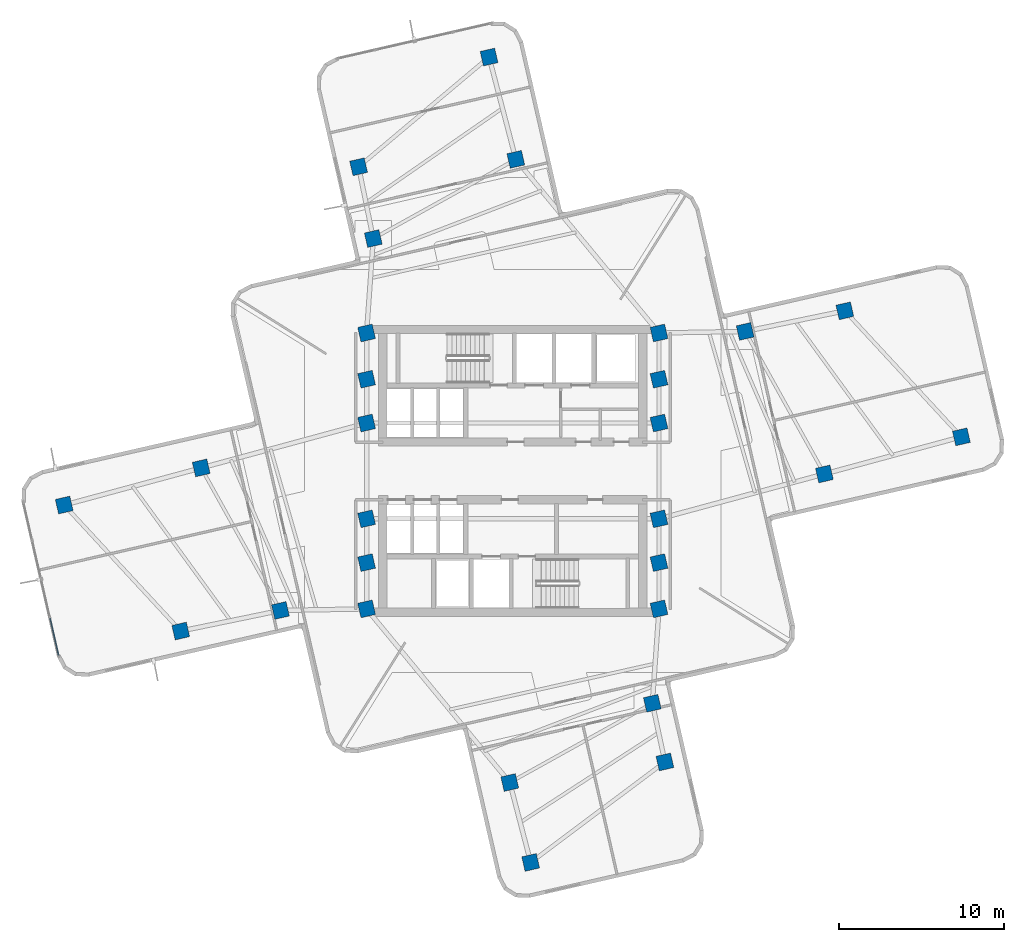
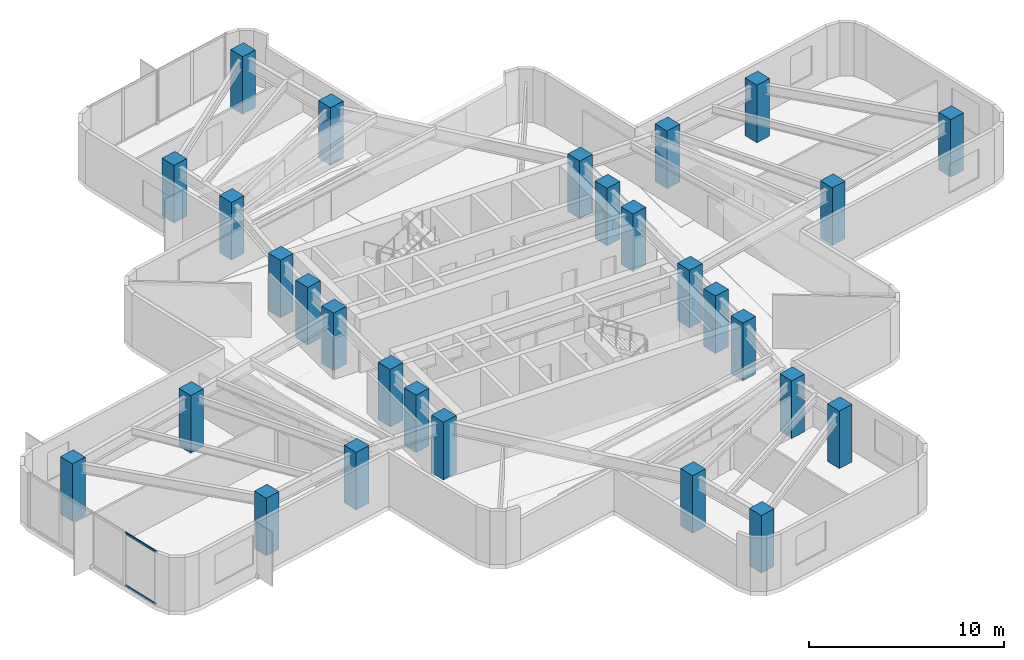
# One storey, part 1 of 11: 28 columns, 2 members, 1 element without a shape of its own.
"""IFC4 building model written with IfcOpenShell, lengths in metres."""

from ifc_helpers import new_model, si_unit, direction, frame, origin, origin_2d, place, context, subcontext, project, spatial, rectangle, extrude, material, layer, layer_set, material_profile, profile_set, type_object, element, aggregate, save


model = new_model("IFC4")

# Units and contexts
model_context = context("Model", 3, precision=1e-05, world=origin(), true_north=direction((0.0, 1.0)))
body_context = subcontext(model_context, "Body", "Model", "MODEL_VIEW")
ifc_project = project(units=[si_unit("LENGTHUNIT", "METRE"), si_unit("AREAUNIT", "SQUARE_METRE"), si_unit("VOLUMEUNIT", "CUBIC_METRE"), si_unit("PLANEANGLEUNIT", "RADIAN"), si_unit("MASSUNIT", "GRAM", prefix="KILO")], contexts=[model_context])

# Site, building, storey
site_placement = place(None, origin())
site = spatial("IfcSite", under=ifc_project, at=site_placement, CompositionType="ELEMENT")
building_placement = place(site_placement, origin())
building = spatial("IfcBuilding", under=site, at=building_placement, Name="Solmarez Civic Tower", CompositionType="ELEMENT")
storey_placement = place(building_placement, frame((0.0, 0.0, 119.8798828125)))
storey = spatial("IfcBuildingStorey", under=building, at=storey_placement, Name="L31", CompositionType="ELEMENT", Elevation=119.8798828125)

# Columns
ifc_material_1 = material(Name="Concrete C50/60", Category="concrete")
ifc_material_profile_1 = material_profile(ifc_material_1, rectangle(XDim=0.89990234375, YDim=0.89990234375, at=origin_2d()), Name="RC900X900")
ifc_profile_set_1 = profile_set([ifc_material_profile_1], Name="Concrete C50/60")
column_type = type_object("IfcColumnType", Name="COL-RC900", PredefinedType="COLUMN", material=ifc_profile_set_1)
for number, where, z_axis, x_axis, name in (
    (1, (-8.85009765625, -5.550048828125, 0.0), (0.0, 0.0, 1.0), (0.974761194191, 0.223250116011, 0.0), "L31 Structural Column HC1"),
    (2, (-8.85009765625, -2.89990234375, 0.0), (0.0, 0.0, 1.0), (0.974761194191, 0.223250116011, 0.0), "L31 Structural Column HC2"),
    (3, (-8.85009765625, 2.89990234375, 0.0), (0.0, 0.0, 1.0), (0.974761194191, 0.223250116011, 0.0), "L31 Structural Column HC3"),
    (4, (-8.85009765625, 5.550048828125, 0.0), (0.0, 0.0, 1.0), (0.974761194191, 0.223250116011, 0.0), "L31 Structural Column HC4"),
    (5, (8.85009765625, -5.550048828125, 0.0), (0.0, 0.0, 1.0), (0.974761194191, 0.223250116011, 0.0), "L31 Structural Column HC5"),
    (6, (8.85009765625, -2.89990234375, 0.0), (0.0, 0.0, 1.0), (0.974761194191, 0.223250116011, 0.0), "L31 Structural Column HC6"),
    (7, (8.85009765625, 2.89990234375, 0.0), (0.0, 0.0, 1.0), (0.974761194191, 0.223250116011, 0.0), "L31 Structural Column HC7"),
    (8, (8.85009765625, 5.550048828125, 0.0), (0.0, 0.0, 1.0), (0.974761194191, 0.223250116011, 0.0), "L31 Structural Column HC8"),
    (9, (-8.85009765625, 8.35009765625, 0.0), (0.0, 0.0, 1.0), (0.974761194191, 0.223250116011, 0.0), "L31 Structural Column HC9"),
    (10, (8.85009765625, -8.35009765625, 0.0), (0.0, 0.0, 1.0), (0.974761194191, 0.223250116011, 0.0), "L31 Structural Column HC10"),
    (11, (8.85009765625, 8.35009765625, 0.0), (0.0, 0.0, 1.0), (0.974761194191, 0.223250116011, 0.0), "L31 Structural Column HC11"),
    (12, (-8.85009765625, -8.35009765625, 0.0), (0.0, 0.0, 1.0), (0.974761194191, 0.223250116011, 0.0), "L31 Structural Column HC12"),
    (13, (18.860107421875, -0.18310546875, 0.0), (0.0, 0.0, 1.0), (0.974761194191, 0.223250116011, 0.0), "L31 Structural Column EA11"),
    (14, (14.06396484375, 8.445068359375, 0.0), (0.0, 0.0, 1.0), (0.974761194191, 0.223250116011, 0.0), "L31 Structural Column EA12"),
    (15, (27.153076171875, 2.06396484375, 0.0), (0.0, 0.0, 1.0), (0.974761194191, 0.223250116011, 0.0), "L31 Structural Column EA21"),
    (16, (20.097900390625, 9.69189453125, 0.0), (0.0, 0.0, 1.0), (0.974761194191, 0.223250116011, 0.0), "L31 Structural Column EA22"),
    (17, (0.18310546875, 18.860107421875, 0.0), (0.0, 0.0, 1.0), (0.974761194191, 0.223250116011, 0.0), "L31 Structural Column NA11"),
    (18, (-8.445068359375, 14.06396484375, 0.0), (0.0, 0.0, 1.0), (0.974761194191, 0.223250116011, 0.0), "L31 Structural Column NA12"),
    (19, (-1.43701171875, 25.052001953125, 0.0), (0.0, 0.0, 1.0), (0.974761194191, 0.223250116011, 0.0), "L31 Structural Column NA21"),
    (20, (-9.3330078125, 18.408935546875, 0.0), (0.0, 0.0, 1.0), (0.974761194191, 0.223250116011, 0.0), "L31 Structural Column NA22"),
    (21, (-18.860107421875, 0.18310546875, 0.0), (0.0, 0.0, 1.0), (0.974761194191, 0.223250116011, 0.0), "L31 Structural Column WA11"),
    (22, (-14.06396484375, -8.445068359375, 0.0), (0.0, 0.0, 1.0), (0.974761194191, 0.223250116011, 0.0), "L31 Structural Column WA12"),
    (23, (-27.153076171875, -2.06396484375, 0.0), (0.0, 0.0, 1.0), (0.974761194191, 0.223250116011, 0.0), "L31 Structural Column WA21"),
    (24, (-20.097900390625, -9.69189453125, 0.0), (0.0, 0.0, 1.0), (0.974761194191, 0.223250116011, 0.0), "L31 Structural Column WA22"),
    (25, (-0.18310546875, -18.860107421875, 0.0), (0.0, 0.0, 1.0), (0.974761194191, 0.223250116011, 0.0), "L31 Structural Column SA11"),
    (26, (8.445068359375, -14.06396484375, 0.0), (0.0, 0.0, 1.0), (0.974761194191, 0.223250116011, 0.0), "L31 Structural Column SA12"),
    (27, (1.0830078125, -23.697021484375, 0.0), (0.0, 0.0, 1.0), (0.974761194191, 0.223250116011, 0.0), "L31 Structural Column SA21"),
    (28, (9.2080078125, -17.614990234375, 0.0), (0.0, 0.0, 1.0), (0.974761194191, 0.223250116011, 0.0), "L31 Structural Column SA22"),
):
    element("IfcColumn", number, at=place(storey_placement, frame(where, z_axis=z_axis, x_axis=x_axis)), inside=storey, type_object=column_type, Name=name, PredefinedType="COLUMN", context=body_context, shape_type="SweptSolid", body=[
        extrude(rectangle(XDim=0.89990234375, YDim=0.89990234375, at=origin_2d()), origin(), (0.0, 0.0, 1.0), 3.60009765625),
    ])

# Curtain wall, members
ifc_material_2 = material(Name="Bronze Anodised Aluminium EN AW-6063 T6", Category="aluminium")
ifc_layer = layer(ifc_material_2, 0.2099609375)
ifc_layer_set = layer_set([ifc_layer], Name="Bronze Anodised Aluminium EN AW-6063 T6")
curtain_wall_type = type_object("IfcCurtainWallType", Name="CW-SYS-5", PredefinedType="NOTDEFINED", material=ifc_layer_set)
curtain_wall_placement = place(storey_placement, origin())
curtain_wall = element("IfcCurtainWall", 29, at=curtain_wall_placement, inside=storey, type_object=curtain_wall_type, Name="L31 Stick-Built Curtain Wall 1", PredefinedType="NOTDEFINED")
ifc_material_profile_2 = material_profile(ifc_material_2, rectangle(XDim=0.06494140625, YDim=0.125, at=origin_2d()), Name="CWT-65X125")
ifc_profile_set_2 = profile_set([ifc_material_profile_2], Name="Bronze Anodised Aluminium EN AW-6063 T6")
member_type = type_object("IfcMemberType", Name="CWT-TYPE-2", PredefinedType="USERDEFINED", material=ifc_profile_set_2)
member_1_placement = place(storey_placement, frame((-27.49267578125, -11.15478515625, 0.03271484375), z_axis=(-0.22342042168, 0.974722173327, 0.0), x_axis=(-0.974722173327, -0.22342042168, 0.0)))
member_1 = element("IfcMember", 30, at=member_1_placement, type_object=member_type, Name="CWS5 transom 1.1", ObjectType="TRANSOM", PredefinedType="USERDEFINED", context=body_context, shape_type="SweptSolid", body=[
    extrude(rectangle(XDim=0.06494140625, YDim=0.125, at=origin_2d()), origin(), (0.0, 0.0, 1.0), 2.29248046875),
])
member_2_placement = place(storey_placement, frame((-27.49267578125, -11.15478515625, 3.3076171875), z_axis=(-0.22342042168, 0.974722173327, 0.0), x_axis=(-0.974722173327, -0.22342042168, 0.0)))
member_2 = element("IfcMember", 31, at=member_2_placement, type_object=member_type, Name="CWS5 transom 1.2", ObjectType="TRANSOM", PredefinedType="USERDEFINED", context=body_context, shape_type="SweptSolid", body=[
    extrude(rectangle(XDim=0.06494140625, YDim=0.125, at=origin_2d()), origin(), (0.0, 0.0, 1.0), 2.29248046875),
])
aggregate(curtain_wall, [member_1, member_2])

save(model, "model.ifc")
